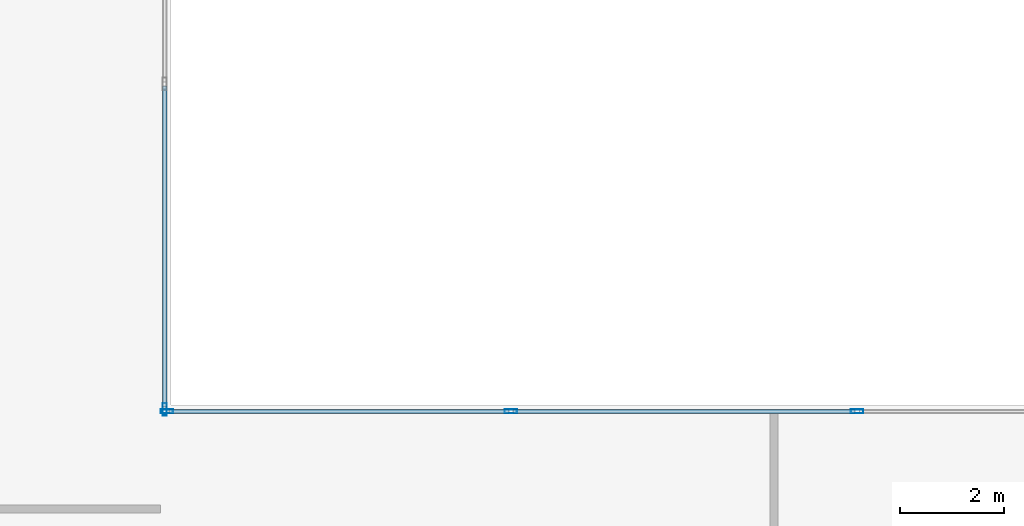
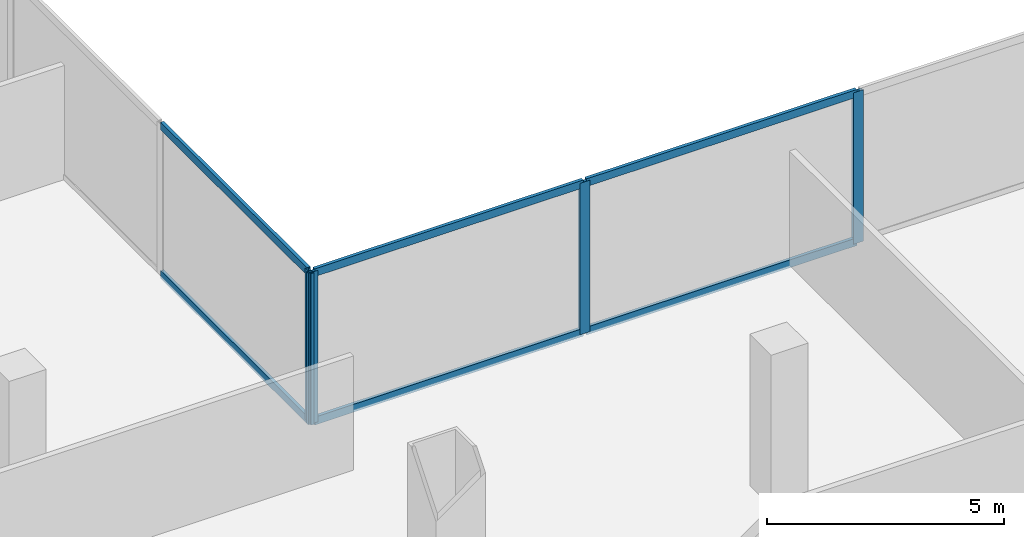
# One storey, part 10 of 34: 10 members, 2 elements without a shape of their own.
"""IFC4 building model written with IfcOpenShell, lengths in metres."""

from ifc_helpers import new_model, si_unit, direction, frame, origin, origin_2d, place, context, subcontext, project, spatial, hollow_rectangle, extrude, material, material_profile, profile_set, type_object, element, aggregate, save


model = new_model("IFC4")

# Units and contexts
model_context = context("Model", 3, precision=1e-05, world=origin(), true_north=direction((0.0, 1.0)))
body_context = subcontext(model_context, "Body", "Model", "MODEL_VIEW")
ifc_project = project(units=[si_unit("LENGTHUNIT", "METRE"), si_unit("AREAUNIT", "SQUARE_METRE"), si_unit("VOLUMEUNIT", "CUBIC_METRE"), si_unit("PLANEANGLEUNIT", "RADIAN"), si_unit("MASSUNIT", "GRAM", prefix="KILO")], contexts=[model_context])

# Site, building, storey
site_placement = place(None, origin())
site = spatial("IfcSite", under=ifc_project, at=site_placement, CompositionType="ELEMENT")
building_placement = place(site_placement, origin())
building = spatial("IfcBuilding", under=site, at=building_placement, Name="Cobrela Telecom Tower", CompositionType="ELEMENT")
storey_placement = place(building_placement, frame((0.0, 0.0, 5.25)))
storey = spatial("IfcBuildingStorey", under=building, at=storey_placement, Name="L01", CompositionType="ELEMENT", Elevation=5.25)

# Curtain wall, member
ifc_material = material(Name="Anodized Bronze Aluminium 6063-T6", Category="aluminium")
curtain_wall_type = type_object("IfcCurtainWallType", Name="CW-SYS-CONC", PredefinedType="USERDEFINED", material=ifc_material)
curtain_wall_1_placement = place(storey_placement, origin())
curtain_wall_1 = element("IfcCurtainWall", 1, at=curtain_wall_1_placement, inside=storey, type_object=curtain_wall_type, Name="L01 Unitised Bronze Curtain Wall 10", ObjectType="UNITISED CURTAIN WALL", PredefinedType="USERDEFINED")
ifc_material_profile_1 = material_profile(ifc_material, hollow_rectangle(XDim=0.080078125, YDim=0.239990234375, WallThickness=0.0048828125, at=origin_2d()), Name="ALU 80x240x5")
ifc_profile_set_1 = profile_set([ifc_material_profile_1], Name="Anodized Bronze Aluminium 6063-T6")
member_type_1 = type_object("IfcMemberType", Name="CW-SYS-CONC-MUL", PredefinedType="MULLION", material=ifc_profile_set_1)
member_1_placement = place(storey_placement, frame((50.280029296875, 28.719970703125, 0.0), z_axis=(0.0, 0.0, 1.0), x_axis=(1.0, 0.0, 0.0)))
member_1 = element("IfcMember", 2, at=member_1_placement, type_object=member_type_1, Name="CW-CONC mullion 4", PredefinedType="MULLION", context=body_context, shape_type="SweptSolid", body=[
    extrude(hollow_rectangle(XDim=0.080078125, YDim=0.239990234375, WallThickness=0.0048828125, at=origin_2d()), origin(), (0.0, 0.0, 1.0), 3.89990234375),
])

# Curtain wall, members
curtain_wall_2_placement = place(storey_placement, origin())
curtain_wall_2 = element("IfcCurtainWall", 3, at=curtain_wall_2_placement, inside=storey, type_object=curtain_wall_type, Name="L01 Unitised Bronze Curtain Wall 11", ObjectType="UNITISED CURTAIN WALL", PredefinedType="USERDEFINED")
member_2_placement = place(storey_placement, frame((50.320068359375, 28.679931640625, 0.0), z_axis=(0.0, 0.0, 1.0), x_axis=(0.0, 1.0, 0.0)))
member_2 = element("IfcMember", 4, at=member_2_placement, type_object=member_type_1, Name="CW-CONC mullion 1", PredefinedType="MULLION", context=body_context, shape_type="SweptSolid", body=[
    extrude(hollow_rectangle(XDim=0.080078125, YDim=0.239990234375, WallThickness=0.0048828125, at=origin_2d()), origin(), (0.0, 0.0, 1.0), 3.89990234375),
])
member_3_placement = place(storey_placement, frame((56.93994140625, 28.679931640625, 0.0), z_axis=(0.0, 0.0, 1.0), x_axis=(0.0, 1.0, 0.0)))
member_3 = element("IfcMember", 5, at=member_3_placement, type_object=member_type_1, Name="CW-CONC mullion 2", PredefinedType="MULLION", context=body_context, shape_type="SweptSolid", body=[
    extrude(hollow_rectangle(XDim=0.080078125, YDim=0.239990234375, WallThickness=0.0048828125, at=origin_2d()), origin(), (0.0, 0.0, 1.0), 3.89990234375),
])
member_4_placement = place(storey_placement, frame((63.60009765625, 28.679931640625, 0.0), z_axis=(0.0, 0.0, 1.0), x_axis=(0.0, 1.0, 0.0)))
member_4 = element("IfcMember", 6, at=member_4_placement, type_object=member_type_1, Name="CW-CONC mullion 3", PredefinedType="MULLION", context=body_context, shape_type="SweptSolid", body=[
    extrude(hollow_rectangle(XDim=0.080078125, YDim=0.239990234375, WallThickness=0.0048828125, at=origin_2d()), origin(), (0.0, 0.0, 1.0), 3.89990234375),
])

# Member
ifc_material_profile_2 = material_profile(ifc_material, hollow_rectangle(XDim=0.080078125, YDim=0.199951171875, WallThickness=0.00390625, at=origin_2d()), Name="ALU 80x200x4")
ifc_profile_set_2 = profile_set([ifc_material_profile_2], Name="Anodized Bronze Aluminium 6063-T6")
member_type_2 = type_object("IfcMemberType", Name="CW-SYS-CONC-TRN", PredefinedType="USERDEFINED", material=ifc_profile_set_2)
member_5_placement = place(storey_placement, frame((50.280029296875, 34.93994140625, 0.0400390625), z_axis=(0.0, -1.0, 0.0), x_axis=(1.0, 0.0, 0.0)))
member_5 = element("IfcMember", 7, at=member_5_placement, type_object=member_type_2, Name="CW-CONC transom 3.1", ObjectType="TRANSOM", PredefinedType="USERDEFINED", context=body_context, shape_type="SweptSolid", body=[
    extrude(hollow_rectangle(XDim=0.080078125, YDim=0.199951171875, WallThickness=0.00390625, at=origin_2d()), origin(), (0.0, 0.0, 1.0), 6.179931640625),
])

member_6_placement = place(storey_placement, frame((50.280029296875, 34.93994140625, 3.860107421875), z_axis=(0.0, -1.0, 0.0), x_axis=(1.0, 0.0, 0.0)))
member_6 = element("IfcMember", 8, at=member_6_placement, type_object=member_type_2, Name="CW-CONC transom 3.2", ObjectType="TRANSOM", PredefinedType="USERDEFINED", context=body_context, shape_type="SweptSolid", body=[
    extrude(hollow_rectangle(XDim=0.080078125, YDim=0.199951171875, WallThickness=0.00390625, at=origin_2d()), origin(), (0.0, 0.0, 1.0), 6.179931640625),
])

aggregate(curtain_wall_1, [member_1, member_5, member_6])

member_7_placement = place(storey_placement, frame((50.360107421875, 28.679931640625, 0.0400390625), z_axis=(1.0, 0.0, 0.0), x_axis=(0.0, 1.0, 0.0)))
member_7 = element("IfcMember", 9, at=member_7_placement, type_object=member_type_2, Name="CW-CONC transom 1.1", ObjectType="TRANSOM", PredefinedType="USERDEFINED", context=body_context, shape_type="SweptSolid", body=[
    extrude(hollow_rectangle(XDim=0.080078125, YDim=0.199951171875, WallThickness=0.00390625, at=origin_2d()), origin(), (0.0, 0.0, 1.0), 6.539794921875),
])

member_8_placement = place(storey_placement, frame((50.360107421875, 28.679931640625, 3.860107421875), z_axis=(1.0, 0.0, 0.0), x_axis=(0.0, 1.0, 0.0)))
member_8 = element("IfcMember", 10, at=member_8_placement, type_object=member_type_2, Name="CW-CONC transom 1.2", ObjectType="TRANSOM", PredefinedType="USERDEFINED", context=body_context, shape_type="SweptSolid", body=[
    extrude(hollow_rectangle(XDim=0.080078125, YDim=0.199951171875, WallThickness=0.00390625, at=origin_2d()), origin(), (0.0, 0.0, 1.0), 6.539794921875),
])

member_9_placement = place(storey_placement, frame((56.97998046875, 28.679931640625, 0.0400390625), z_axis=(1.0, 0.0, 0.0), x_axis=(0.0, 1.0, 0.0)))
member_9 = element("IfcMember", 11, at=member_9_placement, type_object=member_type_2, Name="CW-CONC transom 2.1", ObjectType="TRANSOM", PredefinedType="USERDEFINED", context=body_context, shape_type="SweptSolid", body=[
    extrude(hollow_rectangle(XDim=0.080078125, YDim=0.199951171875, WallThickness=0.00390625, at=origin_2d()), origin(), (0.0, 0.0, 1.0), 6.580078125),
])

member_10_placement = place(storey_placement, frame((56.97998046875, 28.679931640625, 3.860107421875), z_axis=(1.0, 0.0, 0.0), x_axis=(0.0, 1.0, 0.0)))
member_10 = element("IfcMember", 12, at=member_10_placement, type_object=member_type_2, Name="CW-CONC transom 2.2", ObjectType="TRANSOM", PredefinedType="USERDEFINED", context=body_context, shape_type="SweptSolid", body=[
    extrude(hollow_rectangle(XDim=0.080078125, YDim=0.199951171875, WallThickness=0.00390625, at=origin_2d()), origin(), (0.0, 0.0, 1.0), 6.580078125),
])

aggregate(curtain_wall_2, [member_2, member_3, member_4, member_7, member_8, member_9, member_10])

save(model, "model.ifc")
